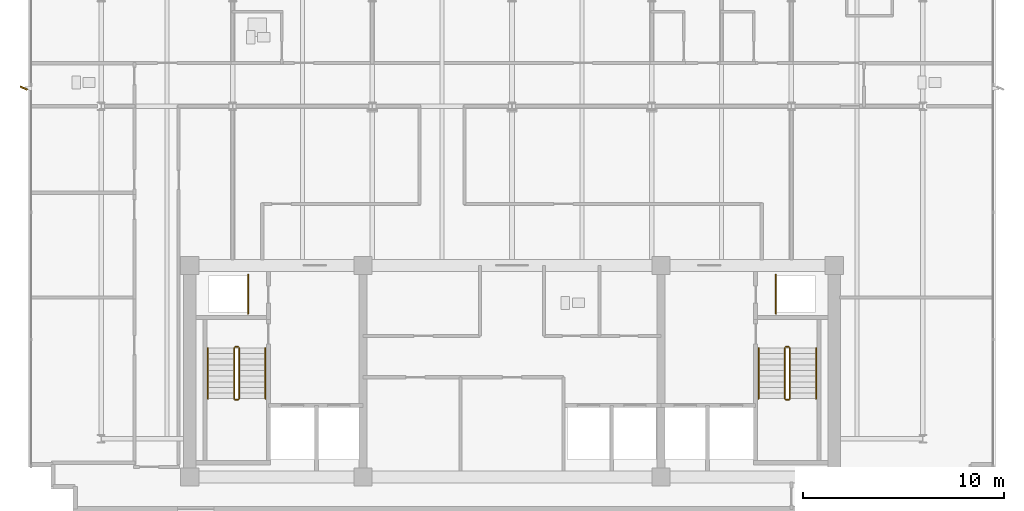
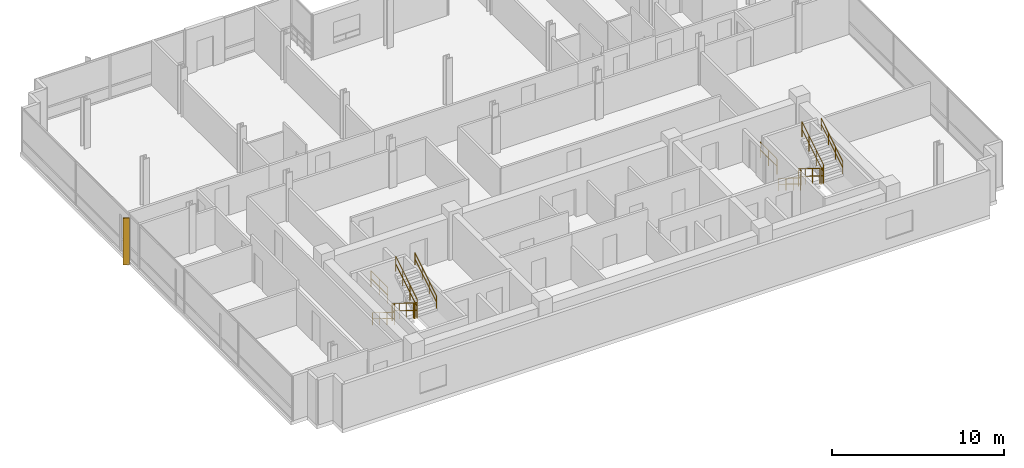
# One storey, part 15 of 17: 14 railings, 1 shading device.
"""IFC4 building model written with IfcOpenShell, lengths in metres."""

from ifc_helpers import new_model, si_unit, direction, frame, origin, origin_2d, place, context, subcontext, project, spatial, rectangle, circle, extrude, material, layer, layer_set, type_object, element, save


model = new_model("IFC4")

# Units and contexts
model_context = context("Model", 3, precision=1e-05, world=origin(), true_north=direction((0.0, 1.0)))
body_context = subcontext(model_context, "Body", "Model", "MODEL_VIEW")
ifc_project = project(units=[si_unit("LENGTHUNIT", "METRE"), si_unit("AREAUNIT", "SQUARE_METRE"), si_unit("VOLUMEUNIT", "CUBIC_METRE"), si_unit("PLANEANGLEUNIT", "RADIAN"), si_unit("MASSUNIT", "GRAM", prefix="KILO")], contexts=[model_context])

# Site, building, storey
site_placement = place(None, origin())
site = spatial("IfcSite", under=ifc_project, at=site_placement, CompositionType="ELEMENT")
building_placement = place(site_placement, origin())
building = spatial("IfcBuilding", under=site, at=building_placement, Name="Solmavex Isthmus Hotel", CompositionType="ELEMENT")
storey_placement = place(building_placement, frame((0.0, 0.0, 266.10009765625)))
storey = spatial("IfcBuildingStorey", under=building, at=storey_placement, Name="L72", CompositionType="ELEMENT", Elevation=266.10009765625)

# Railings
ifc_material_1 = material(Name="Clear low-E laminated glass", Category="glass")
ifc_layer_1 = layer(ifc_material_1, 0.080078125)
ifc_layer_set_1 = layer_set([ifc_layer_1], Name="Clear low-E laminated glass")
railing_type_1 = type_object("IfcRailingType", Name="RAIL-ATRIUM-1120", PredefinedType="BALUSTRADE", material=ifc_layer_set_1)
for number, where, name in (
    (1, (-13.10009765625, -4.89990234375, 0.0), "Guardrail Balustrade L72-RSW-01"),
    (2, (13.10009765625, -4.89990234375, 0.0), "Guardrail Balustrade L72-RSE-01"),
):
    element("IfcRailing", number, at=place(storey_placement, frame(where)), inside=storey, type_object=railing_type_1, Name=name, PredefinedType="BALUSTRADE", context=body_context, shape_type="SweptSolid", body=[
        extrude(circle(Radius=0.02392578125, at=origin_2d()), frame((0.0, 0.0, 1.1259765625), z_axis=(0.0, 1.0, 0.0), x_axis=(-1.0, 0.0, 0.0)), (0.0, 0.0, 1.0), 1.949951171875),
        extrude(circle(Radius=0.02392578125, at=origin_2d()), frame((0.0, 0.0, 0.574951171875), z_axis=(0.0, 1.0, 0.0), x_axis=(-1.0, 0.0, 0.0)), (0.0, 0.0, 1.0), 1.949951171875),
        extrude(circle(Radius=0.02099609375, at=origin_2d()), origin(), (0.0, 0.0, 1.0), 1.101806640625),
        extrude(circle(Radius=0.02099609375, at=origin_2d()), frame((0.0, 0.97509765625, 0.0)), (0.0, 0.0, 1.0), 1.101806640625),
        extrude(circle(Radius=0.02099609375, at=origin_2d()), frame((0.0, 1.949951171875, 0.0)), (0.0, 0.0, 1.0), 1.101806640625),
    ])
ifc_material_2 = material(Name="Stainless steel 316", Category="steel")
ifc_layer_2 = layer(ifc_material_2, 0.06005859375)
ifc_layer_set_2 = layer_set([ifc_layer_2], Name="Stainless steel 316")
railing_type_2 = type_object("IfcRailingType", Name="RAIL-STAIR-GD", PredefinedType="GUARDRAIL", material=ifc_layer_set_2)
railing_1_placement = place(storey_placement, frame((-13.800048828125, -6.60009765625, 0.17236328125)))
element("IfcRailing", 3, at=railing_1_placement, inside=storey, type_object=railing_type_2, Name="L72 ST-1 stair guard 1", PredefinedType="GUARDRAIL", context=body_context, shape_type="SweptSolid", body=[
    extrude(circle(Radius=0.02392578125, at=origin_2d()), frame((0.0, 0.0, 1.09619140625), z_axis=(0.0, -0.851400495292, 0.524516154772), x_axis=(1.0, 0.0, 0.0)), (0.0, 0.0, 1.0), 2.9599609375),
    extrude(circle(Radius=0.02392578125, at=origin_2d()), frame((0.0, 0.0, 0.56005859375), z_axis=(0.0, -0.851400495292, 0.524516154772), x_axis=(1.0, 0.0, 0.0)), (0.0, 0.0, 1.0), 2.9599609375),
    extrude(circle(Radius=0.02099609375, at=origin_2d()), origin(), (0.0, 0.0, 1.0), 1.072021484375),
    extrude(circle(Radius=0.02099609375, at=origin_2d()), frame((0.0, -0.840087890625, 0.517578125)), (0.0, 0.0, 1.0), 1.072021484375),
    extrude(circle(Radius=0.02099609375, at=origin_2d()), frame((0.0, -1.679931640625, 1.034912109375)), (0.0, 0.0, 1.0), 1.072021484375),
    extrude(circle(Radius=0.02099609375, at=origin_2d()), frame((0.0, -2.52001953125, 1.552490234375)), (0.0, 0.0, 1.0), 1.072021484375),
])
railing_2_placement = place(storey_placement, frame((-13.75, -9.169921875, 1.724853515625)))
element("IfcRailing", 4, at=railing_2_placement, inside=storey, type_object=railing_type_2, Name="L72 ST-1 stair guard 2", PredefinedType="GUARDRAIL", context=body_context, shape_type="SweptSolid", body=[
    extrude(circle(Radius=0.02392578125, at=origin_2d()), frame((0.0, 0.0, 1.09619140625), z_axis=(1.0, 0.0, 0.0), x_axis=(0.0, 1.0, 0.0)), (0.0, 0.0, 1.0), 0.14990234375),
    extrude(circle(Radius=0.02392578125, at=origin_2d()), frame((0.0, 0.0, 0.56005859375), z_axis=(1.0, 0.0, 0.0), x_axis=(0.0, 1.0, 0.0)), (0.0, 0.0, 1.0), 0.14990234375),
    extrude(circle(Radius=0.02099609375, at=origin_2d()), origin(), (0.0, 0.0, 1.0), 1.072021484375),
    extrude(circle(Radius=0.02099609375, at=origin_2d()), frame((0.14990234375, 0.0, 0.0)), (0.0, 0.0, 1.0), 1.072021484375),
])
railing_3_placement = place(storey_placement, frame((-13.550048828125, -9.1201171875, 1.8974609375)))
element("IfcRailing", 5, at=railing_3_placement, inside=storey, type_object=railing_type_2, Name="L72 ST-1 stair guard 3", PredefinedType="GUARDRAIL", context=body_context, shape_type="SweptSolid", body=[
    extrude(circle(Radius=0.02392578125, at=origin_2d()), frame((0.0, 0.0, 1.09619140625), z_axis=(0.0, 0.851400495292, 0.524516154772), x_axis=(-1.0, 0.0, 0.0)), (0.0, 0.0, 1.0), 2.9599609375),
    extrude(circle(Radius=0.02392578125, at=origin_2d()), frame((0.0, 0.0, 0.56005859375), z_axis=(0.0, 0.851400495292, 0.524516154772), x_axis=(-1.0, 0.0, 0.0)), (0.0, 0.0, 1.0), 2.9599609375),
    extrude(circle(Radius=0.02099609375, at=origin_2d()), origin(), (0.0, 0.0, 1.0), 1.072021484375),
    extrude(circle(Radius=0.02099609375, at=origin_2d()), frame((0.0, 0.840087890625, 0.517578125)), (0.0, 0.0, 1.0), 1.072021484375),
    extrude(circle(Radius=0.02099609375, at=origin_2d()), frame((0.0, 1.679931640625, 1.034912109375)), (0.0, 0.0, 1.0), 1.072021484375),
    extrude(circle(Radius=0.02099609375, at=origin_2d()), frame((0.0, 2.52001953125, 1.552490234375)), (0.0, 0.0, 1.0), 1.072021484375),
])
railing_4_placement = place(storey_placement, frame((-13.75, -6.550048828125, 0.0)))
element("IfcRailing", 6, at=railing_4_placement, inside=storey, type_object=railing_type_2, Name="L72 ST-1 stair guard 4", PredefinedType="GUARDRAIL", context=body_context, shape_type="SweptSolid", body=[
    extrude(circle(Radius=0.02392578125, at=origin_2d()), frame((0.0, 0.0, 1.09619140625), z_axis=(1.0, 0.0, 0.0), x_axis=(0.0, 1.0, 0.0)), (0.0, 0.0, 1.0), 0.14990234375),
    extrude(circle(Radius=0.02392578125, at=origin_2d()), frame((0.0, 0.0, 0.56005859375), z_axis=(1.0, 0.0, 0.0), x_axis=(0.0, 1.0, 0.0)), (0.0, 0.0, 1.0), 0.14990234375),
    extrude(circle(Radius=0.02099609375, at=origin_2d()), origin(), (0.0, 0.0, 1.0), 1.072021484375),
    extrude(circle(Radius=0.02099609375, at=origin_2d()), frame((0.14990234375, 0.0, 0.0)), (0.0, 0.0, 1.0), 1.072021484375),
])
railing_5_placement = place(storey_placement, frame((13.550048828125, -6.60009765625, 0.17236328125)))
element("IfcRailing", 7, at=railing_5_placement, inside=storey, type_object=railing_type_2, Name="L72 ST-2 stair guard 1", PredefinedType="GUARDRAIL", context=body_context, shape_type="SweptSolid", body=[
    extrude(circle(Radius=0.02392578125, at=origin_2d()), frame((0.0, 0.0, 1.09619140625), z_axis=(0.0, -0.851400495292, 0.524516154772), x_axis=(1.0, 0.0, 0.0)), (0.0, 0.0, 1.0), 2.9599609375),
    extrude(circle(Radius=0.02392578125, at=origin_2d()), frame((0.0, 0.0, 0.56005859375), z_axis=(0.0, -0.851400495292, 0.524516154772), x_axis=(1.0, 0.0, 0.0)), (0.0, 0.0, 1.0), 2.9599609375),
    extrude(circle(Radius=0.02099609375, at=origin_2d()), origin(), (0.0, 0.0, 1.0), 1.072021484375),
    extrude(circle(Radius=0.02099609375, at=origin_2d()), frame((0.0, -0.840087890625, 0.517578125)), (0.0, 0.0, 1.0), 1.072021484375),
    extrude(circle(Radius=0.02099609375, at=origin_2d()), frame((0.0, -1.679931640625, 1.034912109375)), (0.0, 0.0, 1.0), 1.072021484375),
    extrude(circle(Radius=0.02099609375, at=origin_2d()), frame((0.0, -2.52001953125, 1.552490234375)), (0.0, 0.0, 1.0), 1.072021484375),
])
railing_6_placement = place(storey_placement, frame((13.60009765625, -9.169921875, 1.724853515625)))
element("IfcRailing", 8, at=railing_6_placement, inside=storey, type_object=railing_type_2, Name="L72 ST-2 stair guard 2", PredefinedType="GUARDRAIL", context=body_context, shape_type="SweptSolid", body=[
    extrude(circle(Radius=0.02392578125, at=origin_2d()), frame((0.0, 0.0, 1.09619140625), z_axis=(1.0, 0.0, 0.0), x_axis=(0.0, 1.0, 0.0)), (0.0, 0.0, 1.0), 0.14990234375),
    extrude(circle(Radius=0.02392578125, at=origin_2d()), frame((0.0, 0.0, 0.56005859375), z_axis=(1.0, 0.0, 0.0), x_axis=(0.0, 1.0, 0.0)), (0.0, 0.0, 1.0), 0.14990234375),
    extrude(circle(Radius=0.02099609375, at=origin_2d()), origin(), (0.0, 0.0, 1.0), 1.072021484375),
    extrude(circle(Radius=0.02099609375, at=origin_2d()), frame((0.14990234375, 0.0, 0.0)), (0.0, 0.0, 1.0), 1.072021484375),
])
railing_7_placement = place(storey_placement, frame((13.800048828125, -9.1201171875, 1.8974609375)))
element("IfcRailing", 9, at=railing_7_placement, inside=storey, type_object=railing_type_2, Name="L72 ST-2 stair guard 3", PredefinedType="GUARDRAIL", context=body_context, shape_type="SweptSolid", body=[
    extrude(circle(Radius=0.02392578125, at=origin_2d()), frame((0.0, 0.0, 1.09619140625), z_axis=(0.0, 0.851400495292, 0.524516154772), x_axis=(-1.0, 0.0, 0.0)), (0.0, 0.0, 1.0), 2.9599609375),
    extrude(circle(Radius=0.02392578125, at=origin_2d()), frame((0.0, 0.0, 0.56005859375), z_axis=(0.0, 0.851400495292, 0.524516154772), x_axis=(-1.0, 0.0, 0.0)), (0.0, 0.0, 1.0), 2.9599609375),
    extrude(circle(Radius=0.02099609375, at=origin_2d()), origin(), (0.0, 0.0, 1.0), 1.072021484375),
    extrude(circle(Radius=0.02099609375, at=origin_2d()), frame((0.0, 0.840087890625, 0.517578125)), (0.0, 0.0, 1.0), 1.072021484375),
    extrude(circle(Radius=0.02099609375, at=origin_2d()), frame((0.0, 1.679931640625, 1.034912109375)), (0.0, 0.0, 1.0), 1.072021484375),
    extrude(circle(Radius=0.02099609375, at=origin_2d()), frame((0.0, 2.52001953125, 1.552490234375)), (0.0, 0.0, 1.0), 1.072021484375),
])
railing_8_placement = place(storey_placement, frame((13.60009765625, -6.550048828125, 0.0)))
element("IfcRailing", 10, at=railing_8_placement, inside=storey, type_object=railing_type_2, Name="L72 ST-2 stair guard 4", PredefinedType="GUARDRAIL", context=body_context, shape_type="SweptSolid", body=[
    extrude(circle(Radius=0.02392578125, at=origin_2d()), frame((0.0, 0.0, 1.09619140625), z_axis=(1.0, 0.0, 0.0), x_axis=(0.0, 1.0, 0.0)), (0.0, 0.0, 1.0), 0.14990234375),
    extrude(circle(Radius=0.02392578125, at=origin_2d()), frame((0.0, 0.0, 0.56005859375), z_axis=(1.0, 0.0, 0.0), x_axis=(0.0, 1.0, 0.0)), (0.0, 0.0, 1.0), 0.14990234375),
    extrude(circle(Radius=0.02099609375, at=origin_2d()), origin(), (0.0, 0.0, 1.0), 1.072021484375),
    extrude(circle(Radius=0.02099609375, at=origin_2d()), frame((0.14990234375, 0.0, 0.0)), (0.0, 0.0, 1.0), 1.072021484375),
])
ifc_layer_3 = layer(ifc_material_2, 0.050048828125)
ifc_layer_set_3 = layer_set([ifc_layer_3], Name="Stainless steel 316")
railing_type_3 = type_object("IfcRailingType", Name="RAIL-STAIR-HR", PredefinedType="HANDRAIL", material=ifc_layer_set_3)
railing_9_placement = place(storey_placement, frame((-15.10009765625, -6.60009765625, 0.17236328125)))
element("IfcRailing", 11, at=railing_9_placement, inside=storey, type_object=railing_type_3, Name="L72 ST-1 stair handrail 1", PredefinedType="HANDRAIL", context=body_context, shape_type="SweptSolid", body=[
    extrude(circle(Radius=0.02392578125, at=origin_2d()), frame((0.0, 0.0, 0.8759765625), z_axis=(0.0, -0.851400495292, 0.524516154772), x_axis=(1.0, 0.0, 0.0)), (0.0, 0.0, 1.0), 2.9599609375),
    extrude(circle(Radius=0.02392578125, at=origin_2d()), frame((0.0, 0.0, 0.449951171875), z_axis=(0.0, -0.851400495292, 0.524516154772), x_axis=(1.0, 0.0, 0.0)), (0.0, 0.0, 1.0), 2.9599609375),
    extrude(circle(Radius=0.02099609375, at=origin_2d()), origin(), (0.0, 0.0, 1.0), 0.851806640625),
    extrude(circle(Radius=0.02099609375, at=origin_2d()), frame((0.0, -0.840087890625, 0.517578125)), (0.0, 0.0, 1.0), 0.851806640625),
    extrude(circle(Radius=0.02099609375, at=origin_2d()), frame((0.0, -1.679931640625, 1.034912109375)), (0.0, 0.0, 1.0), 0.851806640625),
    extrude(circle(Radius=0.02099609375, at=origin_2d()), frame((0.0, -2.52001953125, 1.552490234375)), (0.0, 0.0, 1.0), 0.851806640625),
])
railing_10_placement = place(storey_placement, frame((-12.25, -9.1201171875, 1.8974609375)))
element("IfcRailing", 12, at=railing_10_placement, inside=storey, type_object=railing_type_3, Name="L72 ST-1 stair handrail 2", PredefinedType="HANDRAIL", context=body_context, shape_type="SweptSolid", body=[
    extrude(circle(Radius=0.02392578125, at=origin_2d()), frame((0.0, 0.0, 0.8759765625), z_axis=(0.0, 0.851400495292, 0.524516154772), x_axis=(-1.0, 0.0, 0.0)), (0.0, 0.0, 1.0), 2.9599609375),
    extrude(circle(Radius=0.02392578125, at=origin_2d()), frame((0.0, 0.0, 0.449951171875), z_axis=(0.0, 0.851400495292, 0.524516154772), x_axis=(-1.0, 0.0, 0.0)), (0.0, 0.0, 1.0), 2.9599609375),
    extrude(circle(Radius=0.02099609375, at=origin_2d()), origin(), (0.0, 0.0, 1.0), 0.851806640625),
    extrude(circle(Radius=0.02099609375, at=origin_2d()), frame((0.0, 0.840087890625, 0.517578125)), (0.0, 0.0, 1.0), 0.851806640625),
    extrude(circle(Radius=0.02099609375, at=origin_2d()), frame((0.0, 1.679931640625, 1.034912109375)), (0.0, 0.0, 1.0), 0.851806640625),
    extrude(circle(Radius=0.02099609375, at=origin_2d()), frame((0.0, 2.52001953125, 1.552490234375)), (0.0, 0.0, 1.0), 0.851806640625),
])
railing_11_placement = place(storey_placement, frame((12.25, -6.60009765625, 0.17236328125)))
element("IfcRailing", 13, at=railing_11_placement, inside=storey, type_object=railing_type_3, Name="L72 ST-2 stair handrail 1", PredefinedType="HANDRAIL", context=body_context, shape_type="SweptSolid", body=[
    extrude(circle(Radius=0.02392578125, at=origin_2d()), frame((0.0, 0.0, 0.8759765625), z_axis=(0.0, -0.851400495292, 0.524516154772), x_axis=(1.0, 0.0, 0.0)), (0.0, 0.0, 1.0), 2.9599609375),
    extrude(circle(Radius=0.02392578125, at=origin_2d()), frame((0.0, 0.0, 0.449951171875), z_axis=(0.0, -0.851400495292, 0.524516154772), x_axis=(1.0, 0.0, 0.0)), (0.0, 0.0, 1.0), 2.9599609375),
    extrude(circle(Radius=0.02099609375, at=origin_2d()), origin(), (0.0, 0.0, 1.0), 0.851806640625),
    extrude(circle(Radius=0.02099609375, at=origin_2d()), frame((0.0, -0.840087890625, 0.517578125)), (0.0, 0.0, 1.0), 0.851806640625),
    extrude(circle(Radius=0.02099609375, at=origin_2d()), frame((0.0, -1.679931640625, 1.034912109375)), (0.0, 0.0, 1.0), 0.851806640625),
    extrude(circle(Radius=0.02099609375, at=origin_2d()), frame((0.0, -2.52001953125, 1.552490234375)), (0.0, 0.0, 1.0), 0.851806640625),
])
railing_12_placement = place(storey_placement, frame((15.10009765625, -9.1201171875, 1.8974609375)))
element("IfcRailing", 14, at=railing_12_placement, inside=storey, type_object=railing_type_3, Name="L72 ST-2 stair handrail 2", PredefinedType="HANDRAIL", context=body_context, shape_type="SweptSolid", body=[
    extrude(circle(Radius=0.02392578125, at=origin_2d()), frame((0.0, 0.0, 0.8759765625), z_axis=(0.0, 0.851400495292, 0.524516154772), x_axis=(-1.0, 0.0, 0.0)), (0.0, 0.0, 1.0), 2.9599609375),
    extrude(circle(Radius=0.02392578125, at=origin_2d()), frame((0.0, 0.0, 0.449951171875), z_axis=(0.0, 0.851400495292, 0.524516154772), x_axis=(-1.0, 0.0, 0.0)), (0.0, 0.0, 1.0), 2.9599609375),
    extrude(circle(Radius=0.02099609375, at=origin_2d()), origin(), (0.0, 0.0, 1.0), 0.851806640625),
    extrude(circle(Radius=0.02099609375, at=origin_2d()), frame((0.0, 0.840087890625, 0.517578125)), (0.0, 0.0, 1.0), 0.851806640625),
    extrude(circle(Radius=0.02099609375, at=origin_2d()), frame((0.0, 1.679931640625, 1.034912109375)), (0.0, 0.0, 1.0), 0.851806640625),
    extrude(circle(Radius=0.02099609375, at=origin_2d()), frame((0.0, 2.52001953125, 1.552490234375)), (0.0, 0.0, 1.0), 0.851806640625),
])

# Shading device
ifc_material_3 = material(Name="Aluminium alloy 6063-T6", Category="aluminium")
shading_device_type = type_object("IfcShadingDeviceType", Name="SHD-FIN-CHAMP", PredefinedType="USERDEFINED", material=ifc_material_3)
shading_device_placement = place(storey_placement, frame((-24.239990234375, 6.300048828125, -0.14013671875), z_axis=(0.0, 0.0, 1.0), x_axis=(-0.913545457643, 0.406736643076, 0.0)))
element("IfcShadingDevice", 15, at=shading_device_placement, inside=storey, type_object=shading_device_type, Name="Anodised Aluminium Solar Fin L72-W1", ObjectType="SOLAR_FIN", PredefinedType="USERDEFINED", context=body_context, shape_type="SweptSolid", body=[
    extrude(rectangle(XDim=0.3798828125, YDim=0.070068359375, at=origin_2d()), origin(), (0.0, 0.0, 1.0), 3.330078125),
])

save(model, "model.ifc")
